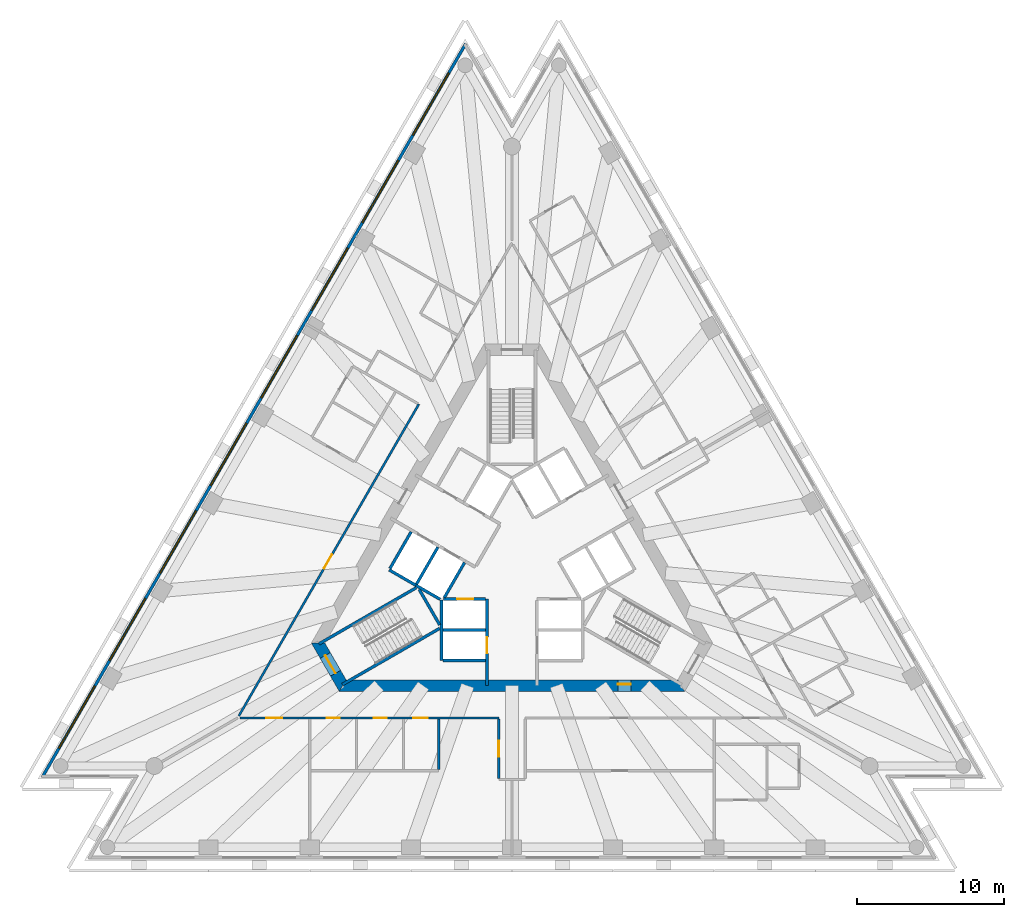
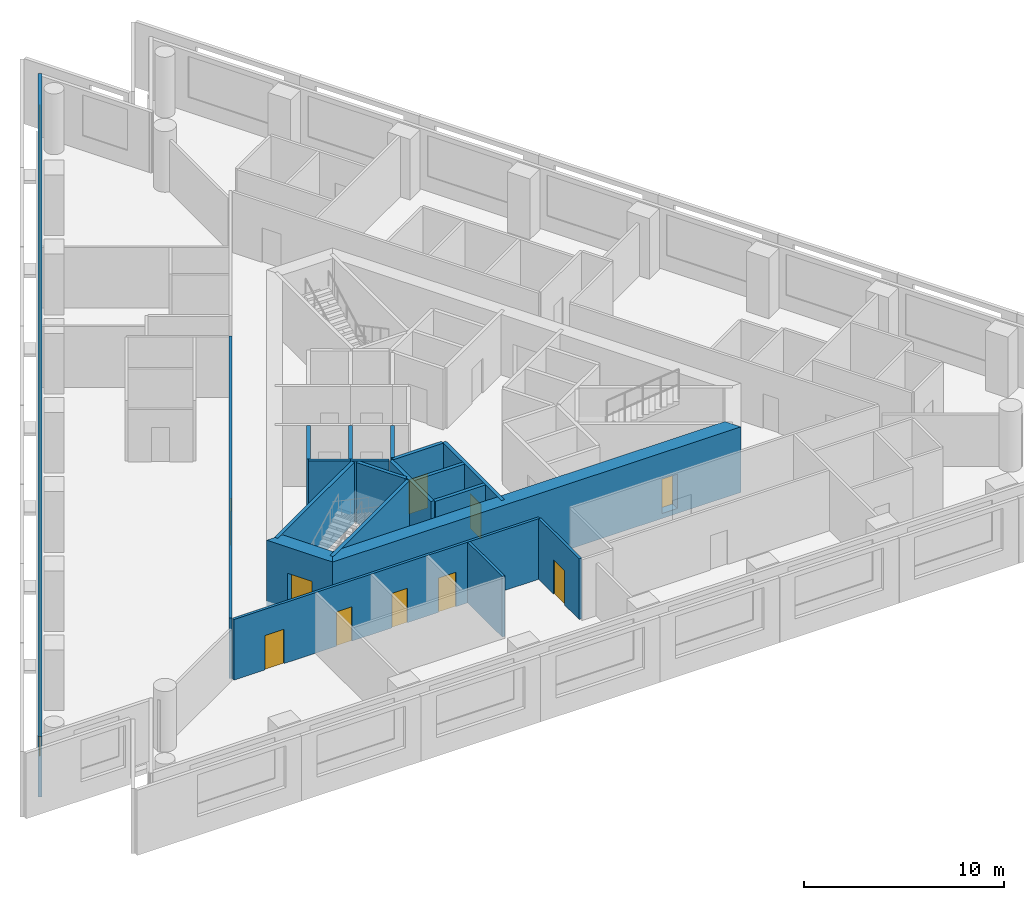
# One storey, part 3 of 10: 20 walls, 10 doors, 8 windows, 18 openings.
"""IFC4 building model written with IfcOpenShell, lengths in metres."""

from ifc_helpers import new_model, si_unit, direction, frame, frame_2d, origin, place, context, subcontext, project, spatial, polyline, rectangle, outline, extrude, material, layer, layer_set, layer_usage, type_object, element, fill, save


model = new_model("IFC4")

# Units and contexts
model_context = context("Model", 3, precision=1e-05, world=origin(), true_north=direction((0.0, 1.0)))
body_context = subcontext(model_context, "Body", "Model", "MODEL_VIEW")
ifc_project = project(units=[si_unit("LENGTHUNIT", "METRE"), si_unit("AREAUNIT", "SQUARE_METRE"), si_unit("VOLUMEUNIT", "CUBIC_METRE"), si_unit("PLANEANGLEUNIT", "RADIAN"), si_unit("MASSUNIT", "GRAM", prefix="KILO")], contexts=[model_context])

# Site, building, storey
site_placement = place(None, origin())
site = spatial("IfcSite", under=ifc_project, at=site_placement, CompositionType="ELEMENT")
building_placement = place(site_placement, origin())
building = spatial("IfcBuilding", under=site, at=building_placement, Name="Triada Interchange Tower", CompositionType="ELEMENT")
storey_placement = place(building_placement, frame((0.0, 0.0, 116.300048828125)))
storey = spatial("IfcBuildingStorey", under=building, at=storey_placement, Name="L26", CompositionType="ELEMENT", Elevation=116.300048828125)

# Walls
ifc_material_1 = material(Name="Concrete C30/37", Category="concrete")
ifc_layer_1 = layer(ifc_material_1, 0.199951171875)
ifc_layer_set_1 = layer_set([ifc_layer_1], Name="CORE WALL 200 EI 120")
wall_type_1 = type_object("IfcWallType", Name="CORE WALL 200 EI 120", PredefinedType="SOLIDWALL", material=ifc_layer_set_1)
wall_1_placement = place(storey_placement, frame((-8.3759765625, -0.70703125, 0.0), z_axis=(0.0, 0.0, 1.0), x_axis=(0.866067520717, -0.499927044236, 0.0)))
element("IfcWall", 1, at=wall_1_placement, inside=storey, type_object=wall_type_1, Name="Wall L26 60", PredefinedType="SOLIDWALL", context=body_context, shape_type="SweptSolid", body=[
    extrude(rectangle(XDim=2.100341796875, YDim=0.199951171875, at=frame_2d((1.05029296875, 0.0))), origin(), (0.0, 0.0, 1.0), 3.699951171875),
])
wall_2_placement = place(storey_placement, frame((-8.325927734375, -0.6201171875, 0.0), z_axis=(0.0, 0.0, 1.0), x_axis=(0.500023687443, 0.866011727401, 0.0)))
element("IfcWall", 2, at=wall_2_placement, inside=storey, type_object=wall_type_1, Name="Wall L26 61", PredefinedType="SOLIDWALL", context=body_context, shape_type="SweptSolid", body=[
    extrude(rectangle(XDim=2.899658203125, YDim=0.199951171875, at=frame_2d((1.44970703125, 0.0))), origin(), (0.0, 0.0, 1.0), 3.699951171875),
])
wall_3_placement = place(storey_placement, frame((-4.699951171875, -4.800048828125, 0.0), z_axis=(0.0, 0.0, 1.0), x_axis=(1.0, 0.0, 0.0)))
element("IfcWall", 3, at=wall_3_placement, inside=storey, type_object=wall_type_1, Name="Wall L26 62", PredefinedType="SOLIDWALL", context=body_context, shape_type="SweptSolid", body=[
    extrude(rectangle(XDim=2.89990234375, YDim=0.199951171875, at=frame_2d((1.449951171875, 0.0))), origin(), (0.0, 0.0, 1.0), 3.699951171875),
])
wall_4_placement = place(storey_placement, frame((-4.800048828125, -6.89990234375, 0.0), z_axis=(0.0, 0.0, 1.0), x_axis=(0.0, 1.0, 0.0)))
element("IfcWall", 4, at=wall_4_placement, inside=storey, type_object=wall_type_1, Name="Wall L26 64", PredefinedType="SOLIDWALL", context=body_context, shape_type="SweptSolid", body=[
    extrude(rectangle(XDim=4.130859375, YDim=0.199951171875, at=frame_2d((2.0654296875, 0.0))), origin(), (0.0, 0.0, 1.0), 3.699951171875),
])
wall_5_placement = place(storey_placement, frame((-4.699951171875, -6.89990234375, 0.0), z_axis=(0.0, 0.0, 1.0), x_axis=(1.0, 0.0, 0.0)))
element("IfcWall", 5, at=wall_5_placement, inside=storey, type_object=wall_type_1, Name="Wall L26 65", PredefinedType="SOLIDWALL", context=body_context, shape_type="SweptSolid", body=[
    extrude(rectangle(XDim=2.89990234375, YDim=0.199951171875, at=frame_2d((1.449951171875, 0.0))), origin(), (0.0, 0.0, 1.0), 3.699951171875),
])

# Wall, opening, door
wall_6_placement = place(storey_placement, frame((-1.699951171875, -8.580078125, 0.0), z_axis=(0.0, 0.0, 1.0), x_axis=(0.0, 1.0, 0.0)))
wall_6 = element("IfcWall", 6, at=wall_6_placement, inside=storey, type_object=wall_type_1, Name="Wall L26 67", PredefinedType="SOLIDWALL", context=body_context, shape_type="SweptSolid", body=[
    extrude(rectangle(XDim=5.877197265625, YDim=0.199951171875, at=frame_2d((2.9384765625, 0.0))), origin(), (0.0, 0.0, 1.0), 3.699951171875),
])
opening_1_placement = place(wall_6_placement, frame((2.179931640625, 0.0, 0.0)))
opening_1 = element("IfcOpeningElement", 7, at=opening_1_placement, cuts=wall_6, Name="Opening LD-LR4", PredefinedType="OPENING", context=body_context, shape_type="SweptSolid", body=[
    extrude(rectangle(XDim=1.10009765625, YDim=2.10009765625, at=frame_2d((0.550048828125, 1.050048828125))), frame((0.0, 0.10986328125, 0.0), z_axis=(0.0, -1.0, 0.0), x_axis=(1.0, 0.0, 0.0)), (0.0, 0.0, 1.0), 0.219970703125),
])
ifc_material_2 = material(Name="Steel S235 door leaf", Category="steel")
door_type_1 = type_object("IfcDoorType", Name="LIFT LANDING DOOR 1100 EI 120", OperationType="SLIDING_TO_LEFT", PredefinedType="DOOR", material=ifc_material_2)
door_1_placement = place(opening_1_placement, origin())
door_1 = element("IfcDoor", 8, at=door_1_placement, inside=storey, type_object=door_type_1, Name="LR4 landing door L26", OperationType="SLIDING_TO_LEFT", OverallHeight=2.10009765625, OverallWidth=1.10009765625, PredefinedType="DOOR", context=body_context, shape_type="SweptSolid", body=[
    extrude(rectangle(XDim=1.10009765625, YDim=2.10009765625, at=frame_2d((0.550048828125, 1.050048828125))), frame((0.0, 0.02490234375, 0.0), z_axis=(0.0, -1.0, 0.0), x_axis=(1.0, 0.0, 0.0)), (0.0, 0.0, 1.0), 0.050048828125),
])
fill(opening_1, door_1)

wall_7_placement = place(storey_placement, frame((-4.676025390625, -2.699951171875, 0.0), z_axis=(0.0, 0.0, 1.0), x_axis=(1.0, 0.0, 0.0)))
wall_7 = element("IfcWall", 9, at=wall_7_placement, inside=storey, type_object=wall_type_1, Name="Wall L26 68", PredefinedType="SOLIDWALL", context=body_context, shape_type="SweptSolid", body=[
    extrude(rectangle(XDim=2.873046875, YDim=0.199951171875, at=frame_2d((1.4365234375, 0.0))), origin(), (0.0, 0.0, 1.0), 3.699951171875),
])
opening_2_placement = place(wall_7_placement, frame((0.93701171875, 0.0, 0.0)))
opening_2 = element("IfcOpeningElement", 10, at=opening_2_placement, cuts=wall_7, Name="Opening LD-LR3", PredefinedType="OPENING", context=body_context, shape_type="SweptSolid", body=[
    extrude(rectangle(XDim=1.10009765625, YDim=2.10009765625, at=frame_2d((0.550048828125, 1.050048828125))), frame((0.0, 0.10986328125, 0.0), z_axis=(0.0, -1.0, 0.0), x_axis=(1.0, 0.0, 0.0)), (0.0, 0.0, 1.0), 0.219970703125),
])
door_2_placement = place(opening_2_placement, origin())
door_2 = element("IfcDoor", 11, at=door_2_placement, inside=storey, type_object=door_type_1, Name="LR3 landing door L26", OperationType="SLIDING_TO_LEFT", OverallHeight=2.10009765625, OverallWidth=1.10009765625, PredefinedType="DOOR", context=body_context, shape_type="SweptSolid", body=[
    extrude(rectangle(XDim=1.10009765625, YDim=2.10009765625, at=frame_2d((0.550048828125, 1.050048828125))), frame((0.0, 0.02490234375, 0.0), z_axis=(0.0, -1.0, 0.0), x_axis=(1.0, 0.0, 0.0)), (0.0, 0.0, 1.0), 0.050048828125),
])
fill(opening_2, door_2)

# Walls
ifc_layer_2 = layer(ifc_material_1, 0.199951171875)
ifc_layer_set_2 = layer_set([ifc_layer_2], Name="CORE WALL 200 EI 180")
wall_type_2 = type_object("IfcWallType", Name="CORE WALL 200 EI 180", PredefinedType="SOLIDWALL", material=ifc_layer_set_2)
wall_8_placement = place(storey_placement, frame((-6.556884765625, -1.757080078125, 0.0), z_axis=(0.0, 0.0, 1.0), x_axis=(0.8659754619, -0.500086491905, 0.0)))
element("IfcWall", 12, at=wall_8_placement, inside=storey, type_object=wall_type_2, Name="Shaft wall FF1 L26 89", PredefinedType="SOLIDWALL", context=body_context, shape_type="SweptSolid", body=[
    extrude(rectangle(XDim=1.915771484375, YDim=0.199951171875, at=frame_2d((0.9580078125, 0.0))), origin(), (0.0, 0.0, 1.0), 3.699951171875),
])
wall_9_placement = place(storey_placement, frame((-6.507080078125, -1.669921875, 0.0), z_axis=(0.0, 0.0, 1.0), x_axis=(0.50012328804, 0.865954211699, 0.0)))
element("IfcWall", 13, at=wall_9_placement, inside=storey, type_object=wall_type_2, Name="Shaft wall FF1 L26 90", PredefinedType="SOLIDWALL", context=body_context, shape_type="SweptSolid", body=[
    extrude(rectangle(XDim=2.899658203125, YDim=0.199951171875, at=frame_2d((1.44970703125, 0.0))), origin(), (0.0, 0.0, 1.0), 3.699951171875),
])
wall_10_placement = place(storey_placement, frame((-4.618896484375, -2.60009765625, 0.0), z_axis=(0.0, 0.0, 1.0), x_axis=(0.50009492287, 0.865970593103, 0.0)))
element("IfcWall", 14, at=wall_10_placement, inside=storey, type_object=wall_type_2, Name="Shaft wall FF1 L26 92", PredefinedType="SOLIDWALL", context=body_context, shape_type="SweptSolid", body=[
    extrude(rectangle(XDim=2.76123046875, YDim=0.199951171875, at=frame_2d((1.380615234375, 0.0))), origin(), (0.0, 0.0, 1.0), 3.699951171875),
])
ifc_layer_3 = layer(ifc_material_1, 0.199951171875)
ifc_layer_set_3 = layer_set([ifc_layer_3], Name="CORE WALL 200 REI 240")
wall_type_3 = type_object("IfcWallType", Name="CORE WALL 200 REI 240", PredefinedType="SOLIDWALL", material=ifc_layer_set_3)
wall_11_placement = place(storey_placement, frame((-13.1669921875, -5.75390625, 0.0), z_axis=(0.0, 0.0, 1.0), x_axis=(0.866060938598, 0.499938446846, 0.0)))
element("IfcWall", 15, at=wall_11_placement, inside=storey, type_object=wall_type_3, Name="Wall L26 97", PredefinedType="SOLIDWALL", context=body_context, shape_type="SweptSolid", body=[
    extrude(rectangle(XDim=7.66455078125, YDim=0.199951171875, at=frame_2d((3.832275390625, 0.0))), origin(), (0.0, 0.0, 1.0), 3.699951171875),
])
wall_12_placement = place(storey_placement, frame((-6.3291015625, -2.0380859375, 0.0), z_axis=(0.0, 0.0, 1.0), x_axis=(0.500200581029, -0.865909567298, 0.0)))
element("IfcWall", 16, at=wall_12_placement, inside=storey, type_object=wall_type_3, Name="Wall L26 98", PredefinedType="SOLIDWALL", context=body_context, shape_type="SweptSolid", body=[
    extrude(rectangle(XDim=2.799072265625, YDim=0.199951171875, at=frame_2d((1.3994140625, 0.0))), origin(), (0.0, 0.0, 1.0), 3.699951171875),
])
wall_13_placement = place(storey_placement, frame((-11.56689453125, -8.52587890625, 0.0), z_axis=(0.0, 0.0, 1.0), x_axis=(0.866005769735, 0.50003400563, 0.0)))
element("IfcWall", 17, at=wall_13_placement, inside=storey, type_object=wall_type_3, Name="Wall L26 99", PredefinedType="SOLIDWALL", context=body_context, shape_type="SweptSolid", body=[
    extrude(rectangle(XDim=7.6650390625, YDim=0.199951171875, at=frame_2d((3.83251953125, 0.0))), origin(), (0.0, 0.0, 1.0), 3.699951171875),
])

# Wall, opening, door
ifc_material_3 = material(Name="Concrete C60/75", Category="concrete")
ifc_layer_4 = layer(ifc_material_3, 0.800048828125)
ifc_layer_set_4 = layer_set([ifc_layer_4], Name="Core wall B 800")
wall_type_4 = type_object("IfcWallType", Name="Core wall B 800", PredefinedType="SHEAR", material=ifc_layer_set_4)
wall_14_placement = place(storey_placement, frame((-13.220947265625, -5.699951171875, -0.300048828125), z_axis=(0.0, 0.0, 1.0), x_axis=(0.49987182685, -0.866099391942, 0.0)))
wall_14 = element("IfcWall", 18, at=wall_14_placement, inside=storey, type_object=wall_type_4, Name="Core wall WB03 L26", PredefinedType="SHEAR", context=body_context, shape_type="SweptSolid", body=[
    extrude(outline(polyline([(-0.23095703125, -0.39990234375), (1.674072265625, -0.39990234375), (3.5791015625, -0.39990234375), (3.117919921875, 0.39990234375), (1.67431640625, 0.39990234375), (0.23095703125, 0.39990234375), (-0.23095703125, -0.39990234375)])), origin(), (0.0, 0.0, 1.0), 4.0),
])
opening_3_placement = place(wall_14_placement, frame((0.97412109375, 0.0, 0.300048828125)))
opening_3 = element("IfcOpeningElement", 19, at=opening_3_placement, cuts=wall_14, Name="Opening D26-42", PredefinedType="OPENING", context=body_context, shape_type="SweptSolid", body=[
    extrude(rectangle(XDim=1.39990234375, YDim=2.10009765625, at=frame_2d((0.699951171875, 1.050048828125))), frame((0.0, 0.409912109375, 0.0), z_axis=(0.0, -1.0, 0.0), x_axis=(1.0, 0.0, 0.0)), (0.0, 0.0, 1.0), 0.820068359375),
])
door_type_2 = type_object("IfcDoorType", Name="STAIR DOOR 1400 EI2 90-C5S200", OperationType="DOUBLE_DOOR_SINGLE_SWING", PredefinedType="DOOR", material=ifc_material_2)
door_3_placement = place(opening_3_placement, origin())
door_3 = element("IfcDoor", 20, at=door_3_placement, inside=storey, type_object=door_type_2, Name="Door D26-42 L26", OperationType="DOUBLE_DOOR_SINGLE_SWING", OverallHeight=2.10009765625, OverallWidth=1.39990234375, PredefinedType="DOOR", context=body_context, shape_type="SweptSolid", body=[
    extrude(rectangle(XDim=1.39990234375, YDim=2.10009765625, at=frame_2d((0.699951171875, 1.050048828125))), frame((0.0, 0.02490234375, 0.0), z_axis=(0.0, -1.0, 0.0), x_axis=(1.0, 0.0, 0.0)), (0.0, 0.0, 1.0), 0.050048828125),
])
fill(opening_3, door_3)

wall_15_placement = place(storey_placement, frame((-11.547119140625, -8.60009765625, -0.300048828125), z_axis=(0.0, 0.0, 1.0), x_axis=(1.0, 0.0, 0.0)))
wall_15 = element("IfcWall", 21, at=wall_15_placement, inside=storey, type_object=wall_type_4, Name="Core wall WB04 L26", PredefinedType="SHEAR", context=body_context, shape_type="SweptSolid", body=[
    extrude(outline(polyline([(-0.23095703125, -0.39990234375), (1.73193359375, -0.39990234375), (3.695068359375, -0.39990234375), (5.657958984375, -0.39990234375), (7.62109375, -0.39990234375), (9.583984375, -0.39990234375), (11.546875, -0.39990234375), (13.510009765625, -0.39990234375), (15.472900390625, -0.39990234375), (17.43603515625, -0.39990234375), (19.39892578125, -0.39990234375), (21.362060546875, -0.39990234375), (23.324951171875, -0.39990234375), (22.863037109375, 0.39990234375), (20.97705078125, 0.39990234375), (19.091064453125, 0.39990234375), (17.205078125, 0.39990234375), (15.319091796875, 0.39990234375), (13.43310546875, 0.39990234375), (11.546875, 0.39990234375), (9.660888671875, 0.39990234375), (7.77490234375, 0.39990234375), (5.888916015625, 0.39990234375), (4.0029296875, 0.39990234375), (2.116943359375, 0.39990234375), (0.23095703125, 0.39990234375), (-0.23095703125, -0.39990234375)])), origin(), (0.0, 0.0, 1.0), 4.0),
])
opening_4_placement = place(wall_15_placement, frame((18.760009765625, 0.0, 0.300048828125)))
opening_4 = element("IfcOpeningElement", 22, at=opening_4_placement, cuts=wall_15, Name="Opening D26-45", PredefinedType="OPENING", context=body_context, shape_type="SweptSolid", body=[
    extrude(rectangle(XDim=0.89990234375, YDim=2.10009765625, at=frame_2d((0.449951171875, 1.050048828125))), frame((0.0, 0.409912109375, 0.0), z_axis=(0.0, -1.0, 0.0), x_axis=(1.0, 0.0, 0.0)), (0.0, 0.0, 1.0), 0.820068359375),
])
door_type_3 = type_object("IfcDoorType", Name="SERVICE DOOR 900 EI2 45-C5S200", OperationType="NOTDEFINED", PredefinedType="DOOR", material=ifc_material_2)
door_4_placement = place(opening_4_placement, origin())
door_4 = element("IfcDoor", 23, at=door_4_placement, inside=storey, type_object=door_type_3, Name="Door D26-45 L26", OperationType="SINGLE_SWING_LEFT", OverallHeight=2.10009765625, OverallWidth=0.89990234375, PredefinedType="DOOR", context=body_context, shape_type="SweptSolid", body=[
    extrude(rectangle(XDim=0.89990234375, YDim=2.10009765625, at=frame_2d((0.449951171875, 1.050048828125))), frame((0.0, 0.125, 0.0), z_axis=(0.0, -1.0, 0.0), x_axis=(1.0, 0.0, 0.0)), (0.0, 0.0, 1.0), 0.050048828125),
])
fill(opening_4, door_4)

# Wall, openings, windows
ifc_material_4 = material(Name="Cement board")
ifc_layer_5 = layer(ifc_material_4, 0.02001953125, Name="Cement board cladding")
ifc_material_5 = material(Name="Sheathing board")
ifc_layer_6 = layer(ifc_material_5, 0.014892578125, Name="Sheathing board")
ifc_material_6 = material(Name="Mineral wool")
ifc_layer_7 = layer(ifc_material_6, 0.14990234375, Name="Mineral wool between steel studs")
ifc_material_7 = material(Name="Gypsum board")
ifc_layer_8 = layer(ifc_material_7, 0.014892578125, Name="Plasterboard lining")
ifc_layer_set_5 = layer_set([ifc_layer_5, ifc_layer_6, ifc_layer_7, ifc_layer_8], Name="External wall 200")
ifc_layer_usage = layer_usage(ifc_layer_set_5, "AXIS2", "POSITIVE", -0.10009765625)
wall_type_5 = type_object("IfcWallType", Name="External wall 200", PredefinedType="ELEMENTEDWALL", material=ifc_layer_set_5)
wall_16_placement = place(storey_placement, frame((-3.154052734375, 35.18505859375, 0.0), z_axis=(0.0, 0.0, 1.0), x_axis=(-0.499996704161, -0.866027306629, 0.0)))
wall_16 = element("IfcWall", 24, at=wall_16_placement, inside=storey, type_object=wall_type_5, material=ifc_layer_usage, Name="External wall L26 NW", PredefinedType="ELEMENTEDWALL", context=body_context, shape_type="SweptSolid", body=[
    extrude(rectangle(XDim=57.7685546875, YDim=0.199951171875, at=frame_2d((28.88427734375, 0.0))), origin(), (0.0, 0.0, 1.0), 3.699951171875),
])
opening_5_placement = place(wall_16_placement, frame((2.301025390625, 0.0, 0.89990234375)))
opening_5 = element("IfcOpeningElement", 25, at=opening_5_placement, cuts=wall_16, Name="Opening WB01", PredefinedType="OPENING", context=body_context, shape_type="SweptSolid", body=[
    extrude(rectangle(XDim=4.89990234375, YDim=2.5, at=frame_2d((2.449951171875, 1.25))), frame((0.0, 0.10986328125, 0.0), z_axis=(0.0, -1.0, 0.0), x_axis=(1.0, 0.0, 0.0)), (0.0, 0.0, 1.0), 0.219970703125),
])
opening_6_placement = place(wall_16_placement, frame((9.198974609375, 0.0, 0.89990234375)))
opening_6 = element("IfcOpeningElement", 26, at=opening_6_placement, cuts=wall_16, Name="Opening WB02", PredefinedType="OPENING", context=body_context, shape_type="SweptSolid", body=[
    extrude(rectangle(XDim=4.89990234375, YDim=2.5, at=frame_2d((2.449951171875, 1.25))), frame((0.0, 0.10986328125, 0.0), z_axis=(0.0, -1.0, 0.0), x_axis=(1.0, 0.0, 0.0)), (0.0, 0.0, 1.0), 0.219970703125),
])
opening_7_placement = place(wall_16_placement, frame((16.096923828125, 0.0, 0.89990234375)))
opening_7 = element("IfcOpeningElement", 27, at=opening_7_placement, cuts=wall_16, Name="Opening WB03", PredefinedType="OPENING", context=body_context, shape_type="SweptSolid", body=[
    extrude(rectangle(XDim=4.89990234375, YDim=2.5, at=frame_2d((2.449951171875, 1.25))), frame((0.0, 0.10986328125, 0.0), z_axis=(0.0, -1.0, 0.0), x_axis=(1.0, 0.0, 0.0)), (0.0, 0.0, 1.0), 0.219970703125),
])
opening_8_placement = place(wall_16_placement, frame((22.9951171875, 0.0, 0.89990234375)))
opening_8 = element("IfcOpeningElement", 28, at=opening_8_placement, cuts=wall_16, Name="Opening WB04", PredefinedType="OPENING", context=body_context, shape_type="SweptSolid", body=[
    extrude(rectangle(XDim=4.89990234375, YDim=2.5, at=frame_2d((2.449951171875, 1.25))), frame((0.0, 0.10986328125, 0.0), z_axis=(0.0, -1.0, 0.0), x_axis=(1.0, 0.0, 0.0)), (0.0, 0.0, 1.0), 0.219970703125),
])
opening_9_placement = place(wall_16_placement, frame((29.89306640625, 0.0, 0.89990234375)))
opening_9 = element("IfcOpeningElement", 29, at=opening_9_placement, cuts=wall_16, Name="Opening WB05", PredefinedType="OPENING", context=body_context, shape_type="SweptSolid", body=[
    extrude(rectangle(XDim=4.89990234375, YDim=2.5, at=frame_2d((2.449951171875, 1.25))), frame((0.0, 0.10986328125, 0.0), z_axis=(0.0, -1.0, 0.0), x_axis=(1.0, 0.0, 0.0)), (0.0, 0.0, 1.0), 0.219970703125),
])
opening_10_placement = place(wall_16_placement, frame((36.791015625, 0.0, 0.89990234375)))
opening_10 = element("IfcOpeningElement", 30, at=opening_10_placement, cuts=wall_16, Name="Opening WB06", PredefinedType="OPENING", context=body_context, shape_type="SweptSolid", body=[
    extrude(rectangle(XDim=4.89990234375, YDim=2.5, at=frame_2d((2.449951171875, 1.25))), frame((0.0, 0.10986328125, 0.0), z_axis=(0.0, -1.0, 0.0), x_axis=(1.0, 0.0, 0.0)), (0.0, 0.0, 1.0), 0.219970703125),
])
opening_11_placement = place(wall_16_placement, frame((43.68896484375, 0.0, 0.89990234375)))
opening_11 = element("IfcOpeningElement", 31, at=opening_11_placement, cuts=wall_16, Name="Opening WB07", PredefinedType="OPENING", context=body_context, shape_type="SweptSolid", body=[
    extrude(rectangle(XDim=4.89990234375, YDim=2.5, at=frame_2d((2.449951171875, 1.25))), frame((0.0, 0.10986328125, 0.0), z_axis=(0.0, -1.0, 0.0), x_axis=(1.0, 0.0, 0.0)), (0.0, 0.0, 1.0), 0.219970703125),
])
opening_12_placement = place(wall_16_placement, frame((50.5859375, 0.0, 0.89990234375)))
opening_12 = element("IfcOpeningElement", 32, at=opening_12_placement, cuts=wall_16, Name="Opening WB08", PredefinedType="OPENING", context=body_context, shape_type="SweptSolid", body=[
    extrude(rectangle(XDim=4.89990234375, YDim=2.5, at=frame_2d((2.449951171875, 1.25))), frame((0.0, 0.10986328125, 0.0), z_axis=(0.0, -1.0, 0.0), x_axis=(1.0, 0.0, 0.0)), (0.0, 0.0, 1.0), 0.219970703125),
])
ifc_material_8 = material(Name="Double glazed aluminium window", Category="aluminium")
window_type = type_object("IfcWindowType", Name="Ribbon window B face", PartitioningType="SINGLE_PANEL", PredefinedType="WINDOW", material=ifc_material_8)
window_1_placement = place(opening_5_placement, origin())
window_1 = element("IfcWindow", 33, at=window_1_placement, inside=storey, type_object=window_type, Name="Window L26 NW 1", OverallHeight=2.5, OverallWidth=4.89990234375, PartitioningType="SINGLE_PANEL", PredefinedType="WINDOW", context=body_context, shape_type="SweptSolid", body=[
    extrude(rectangle(XDim=4.89990234375, YDim=2.5, at=frame_2d((2.449951171875, 1.25))), frame((0.0, 0.030029296875, 0.0), z_axis=(0.0, -1.0, 0.0), x_axis=(1.0, 0.0, 0.0)), (0.0, 0.0, 1.0), 0.06005859375),
])
fill(opening_5, window_1)
window_2_placement = place(opening_6_placement, origin())
window_2 = element("IfcWindow", 34, at=window_2_placement, inside=storey, type_object=window_type, Name="Window L26 NW 2", OverallHeight=2.5, OverallWidth=4.89990234375, PartitioningType="SINGLE_PANEL", PredefinedType="WINDOW", context=body_context, shape_type="SweptSolid", body=[
    extrude(rectangle(XDim=4.89990234375, YDim=2.5, at=frame_2d((2.449951171875, 1.25))), frame((0.0, 0.030029296875, 0.0), z_axis=(0.0, -1.0, 0.0), x_axis=(1.0, 0.0, 0.0)), (0.0, 0.0, 1.0), 0.06005859375),
])
fill(opening_6, window_2)
window_3_placement = place(opening_7_placement, origin())
window_3 = element("IfcWindow", 35, at=window_3_placement, inside=storey, type_object=window_type, Name="Window L26 NW 3", OverallHeight=2.5, OverallWidth=4.89990234375, PartitioningType="SINGLE_PANEL", PredefinedType="WINDOW", context=body_context, shape_type="SweptSolid", body=[
    extrude(rectangle(XDim=4.89990234375, YDim=2.5, at=frame_2d((2.449951171875, 1.25))), frame((0.0, 0.030029296875, 0.0), z_axis=(0.0, -1.0, 0.0), x_axis=(1.0, 0.0, 0.0)), (0.0, 0.0, 1.0), 0.06005859375),
])
fill(opening_7, window_3)
window_4_placement = place(opening_8_placement, origin())
window_4 = element("IfcWindow", 36, at=window_4_placement, inside=storey, type_object=window_type, Name="Window L26 NW 4", OverallHeight=2.5, OverallWidth=4.89990234375, PartitioningType="SINGLE_PANEL", PredefinedType="WINDOW", context=body_context, shape_type="SweptSolid", body=[
    extrude(rectangle(XDim=4.89990234375, YDim=2.5, at=frame_2d((2.449951171875, 1.25))), frame((0.0, 0.030029296875, 0.0), z_axis=(0.0, -1.0, 0.0), x_axis=(1.0, 0.0, 0.0)), (0.0, 0.0, 1.0), 0.06005859375),
])
fill(opening_8, window_4)
window_5_placement = place(opening_9_placement, origin())
window_5 = element("IfcWindow", 37, at=window_5_placement, inside=storey, type_object=window_type, Name="Window L26 NW 5", OverallHeight=2.5, OverallWidth=4.89990234375, PartitioningType="SINGLE_PANEL", PredefinedType="WINDOW", context=body_context, shape_type="SweptSolid", body=[
    extrude(rectangle(XDim=4.89990234375, YDim=2.5, at=frame_2d((2.449951171875, 1.25))), frame((0.0, 0.030029296875, 0.0), z_axis=(0.0, -1.0, 0.0), x_axis=(1.0, 0.0, 0.0)), (0.0, 0.0, 1.0), 0.06005859375),
])
fill(opening_9, window_5)
window_6_placement = place(opening_10_placement, origin())
window_6 = element("IfcWindow", 38, at=window_6_placement, inside=storey, type_object=window_type, Name="Window L26 NW 6", OverallHeight=2.5, OverallWidth=4.89990234375, PartitioningType="SINGLE_PANEL", PredefinedType="WINDOW", context=body_context, shape_type="SweptSolid", body=[
    extrude(rectangle(XDim=4.89990234375, YDim=2.5, at=frame_2d((2.449951171875, 1.25))), frame((0.0, 0.030029296875, 0.0), z_axis=(0.0, -1.0, 0.0), x_axis=(1.0, 0.0, 0.0)), (0.0, 0.0, 1.0), 0.06005859375),
])
fill(opening_10, window_6)
window_7_placement = place(opening_11_placement, origin())
window_7 = element("IfcWindow", 39, at=window_7_placement, inside=storey, type_object=window_type, Name="Window L26 NW 7", OverallHeight=2.5, OverallWidth=4.89990234375, PartitioningType="SINGLE_PANEL", PredefinedType="WINDOW", context=body_context, shape_type="SweptSolid", body=[
    extrude(rectangle(XDim=4.89990234375, YDim=2.5, at=frame_2d((2.449951171875, 1.25))), frame((0.0, 0.030029296875, 0.0), z_axis=(0.0, -1.0, 0.0), x_axis=(1.0, 0.0, 0.0)), (0.0, 0.0, 1.0), 0.06005859375),
])
fill(opening_11, window_7)
window_8_placement = place(opening_12_placement, origin())
window_8 = element("IfcWindow", 40, at=window_8_placement, inside=storey, type_object=window_type, Name="Window L26 NW 8", OverallHeight=2.5, OverallWidth=4.89990234375, PartitioningType="SINGLE_PANEL", PredefinedType="WINDOW", context=body_context, shape_type="SweptSolid", body=[
    extrude(rectangle(XDim=4.89990234375, YDim=2.5, at=frame_2d((2.449951171875, 1.25))), frame((0.0, 0.030029296875, 0.0), z_axis=(0.0, -1.0, 0.0), x_axis=(1.0, 0.0, 0.0)), (0.0, 0.0, 1.0), 0.06005859375),
])
fill(opening_12, window_8)

# Wall, openings, doors
ifc_material_9 = material(Name="Gypsum board partition")
ifc_layer_9 = layer(ifc_material_9, 0.14990234375)
ifc_layer_set_6 = layer_set([ifc_layer_9], Name="PARTITION 150 EI 180")
wall_type_6 = type_object("IfcWallType", Name="PARTITION 150 EI 180", PredefinedType="PARTITIONING", material=ifc_layer_set_6)
wall_17_placement = place(storey_placement, frame((-18.554931640625, -10.800048828125, 0.0), z_axis=(0.0, 0.0, 1.0), x_axis=(1.0, 0.0, 0.0)))
wall_17 = element("IfcWall", 41, at=wall_17_placement, inside=storey, type_object=wall_type_6, Name="Wall L26 3", PredefinedType="PARTITIONING", context=body_context, shape_type="SweptSolid", body=[
    extrude(rectangle(XDim=17.654052734375, YDim=0.14990234375, at=frame_2d((8.8271484375, 0.0))), origin(), (0.0, 0.0, 1.0), 3.699951171875),
])
opening_13_placement = place(wall_17_placement, frame((1.800048828125, 0.0, 0.0)))
opening_13 = element("IfcOpeningElement", 42, at=opening_13_placement, cuts=wall_17, Name="Opening D26-11", PredefinedType="OPENING", context=body_context, shape_type="SweptSolid", body=[
    extrude(rectangle(XDim=1.10009765625, YDim=2.10009765625, at=frame_2d((0.550048828125, 1.050048828125))), frame((0.0, 0.0849609375, 0.0), z_axis=(0.0, -1.0, 0.0), x_axis=(1.0, 0.0, 0.0)), (0.0, 0.0, 1.0), 0.169921875),
])
opening_14_placement = place(wall_17_placement, frame((5.908935546875, 0.0, 0.0)))
opening_14 = element("IfcOpeningElement", 43, at=opening_14_placement, cuts=wall_17, Name="Opening D26-13", PredefinedType="OPENING", context=body_context, shape_type="SweptSolid", body=[
    extrude(rectangle(XDim=0.89990234375, YDim=2.10009765625, at=frame_2d((0.449951171875, 1.050048828125))), frame((0.0, 0.0849609375, 0.0), z_axis=(0.0, -1.0, 0.0), x_axis=(1.0, 0.0, 0.0)), (0.0, 0.0, 1.0), 0.169921875),
])
opening_15_placement = place(wall_17_placement, frame((9.10888671875, 0.0, 0.0)))
opening_15 = element("IfcOpeningElement", 44, at=opening_15_placement, cuts=wall_17, Name="Opening D26-14", PredefinedType="OPENING", context=body_context, shape_type="SweptSolid", body=[
    extrude(rectangle(XDim=0.89990234375, YDim=2.10009765625, at=frame_2d((0.449951171875, 1.050048828125))), frame((0.0, 0.0849609375, 0.0), z_axis=(0.0, -1.0, 0.0), x_axis=(1.0, 0.0, 0.0)), (0.0, 0.0, 1.0), 0.169921875),
])
opening_16_placement = place(wall_17_placement, frame((11.80908203125, 0.0, 0.0)))
opening_16 = element("IfcOpeningElement", 45, at=opening_16_placement, cuts=wall_17, Name="Opening D26-15", PredefinedType="OPENING", context=body_context, shape_type="SweptSolid", body=[
    extrude(rectangle(XDim=1.0, YDim=2.10009765625, at=frame_2d((0.5, 1.050048828125))), frame((0.0, 0.0849609375, 0.0), z_axis=(0.0, -1.0, 0.0), x_axis=(1.0, 0.0, 0.0)), (0.0, 0.0, 1.0), 0.169921875),
])
door_type_4 = type_object("IfcDoorType", Name="ROOM DOOR 1000 EI2 90-C5S200", OperationType="NOTDEFINED", PredefinedType="DOOR", material=ifc_material_2)
door_5_placement = place(opening_16_placement, origin())
door_5 = element("IfcDoor", 46, at=door_5_placement, inside=storey, type_object=door_type_4, Name="Door D26-15 L26", OperationType="SINGLE_SWING_LEFT", OverallHeight=2.10009765625, OverallWidth=1.0, PredefinedType="DOOR", context=body_context, shape_type="SweptSolid", body=[
    extrude(rectangle(XDim=1.0, YDim=2.10009765625, at=frame_2d((0.5, 1.050048828125))), frame((0.0, 0.02490234375, 0.0), z_axis=(0.0, -1.0, 0.0), x_axis=(1.0, 0.0, 0.0)), (0.0, 0.0, 1.0), 0.050048828125),
])
fill(opening_16, door_5)
door_type_5 = type_object("IfcDoorType", Name="ROOM DOOR 900 EI2 90-C5S200", OperationType="NOTDEFINED", PredefinedType="DOOR", material=ifc_material_2)
door_6_placement = place(opening_14_placement, origin())
door_6 = element("IfcDoor", 47, at=door_6_placement, inside=storey, type_object=door_type_5, Name="Door D26-13 L26", OperationType="SINGLE_SWING_RIGHT", OverallHeight=2.10009765625, OverallWidth=0.89990234375, PredefinedType="DOOR", context=body_context, shape_type="SweptSolid", body=[
    extrude(rectangle(XDim=0.89990234375, YDim=2.10009765625, at=frame_2d((0.449951171875, 1.050048828125))), frame((0.0, 0.02490234375, 0.0), z_axis=(0.0, -1.0, 0.0), x_axis=(1.0, 0.0, 0.0)), (0.0, 0.0, 1.0), 0.050048828125),
])
fill(opening_14, door_6)
door_7_placement = place(opening_15_placement, origin())
door_7 = element("IfcDoor", 48, at=door_7_placement, inside=storey, type_object=door_type_5, Name="Door D26-14 L26", OperationType="SINGLE_SWING_RIGHT", OverallHeight=2.10009765625, OverallWidth=0.89990234375, PredefinedType="DOOR", context=body_context, shape_type="SweptSolid", body=[
    extrude(rectangle(XDim=0.89990234375, YDim=2.10009765625, at=frame_2d((0.449951171875, 1.050048828125))), frame((0.0, 0.02490234375, 0.0), z_axis=(0.0, -1.0, 0.0), x_axis=(1.0, 0.0, 0.0)), (0.0, 0.0, 1.0), 0.050048828125),
])
fill(opening_15, door_7)
door_type_6 = type_object("IfcDoorType", Name="TENANCY ENTRANCE DOOR 1100 EI2 90-C5S200", OperationType="NOTDEFINED", PredefinedType="DOOR", material=ifc_material_2)
door_8_placement = place(opening_13_placement, origin())
door_8 = element("IfcDoor", 49, at=door_8_placement, inside=storey, type_object=door_type_6, Name="Door D26-11 L26", OperationType="SINGLE_SWING_RIGHT", OverallHeight=2.10009765625, OverallWidth=1.10009765625, PredefinedType="DOOR", context=body_context, shape_type="SweptSolid", body=[
    extrude(rectangle(XDim=1.10009765625, YDim=2.10009765625, at=frame_2d((0.550048828125, 1.050048828125))), frame((0.0, 0.02490234375, 0.0), z_axis=(0.0, -1.0, 0.0), x_axis=(1.0, 0.0, 0.0)), (0.0, 0.0, 1.0), 0.050048828125),
])
fill(opening_13, door_8)

# Wall, opening, door
wall_18_placement = place(storey_placement, frame((-18.631103515625, -10.669921875, 0.0), z_axis=(0.0, 0.0, 1.0), x_axis=(0.499981532133, 0.86603606595, 0.0)))
wall_18 = element("IfcWall", 50, at=wall_18_placement, inside=storey, type_object=wall_type_6, Name="Wall L26 5", PredefinedType="PARTITIONING", context=body_context, shape_type="SweptSolid", body=[
    extrude(rectangle(XDim=24.55322265625, YDim=0.14990234375, at=frame_2d((12.276611328125, 0.0))), origin(), (0.0, 0.0, 1.0), 3.699951171875),
])
opening_17_placement = place(wall_18_placement, frame((11.60400390625, 0.0, 0.0)))
opening_17 = element("IfcOpeningElement", 51, at=opening_17_placement, cuts=wall_18, Name="Opening D26-37", PredefinedType="OPENING", context=body_context, shape_type="SweptSolid", body=[
    extrude(rectangle(XDim=1.10009765625, YDim=2.10009765625, at=frame_2d((0.550048828125, 1.050048828125))), frame((0.0, 0.0849609375, 0.0), z_axis=(0.0, -1.0, 0.0), x_axis=(1.0, 0.0, 0.0)), (0.0, 0.0, 1.0), 0.169921875),
])
door_9_placement = place(opening_17_placement, origin())
door_9 = element("IfcDoor", 52, at=door_9_placement, inside=storey, type_object=door_type_6, Name="Door D26-37 L26", OperationType="SINGLE_SWING_LEFT", OverallHeight=2.10009765625, OverallWidth=1.10009765625, PredefinedType="DOOR", context=body_context, shape_type="SweptSolid", body=[
    extrude(rectangle(XDim=1.10009765625, YDim=2.10009765625, at=frame_2d((0.550048828125, 1.050048828125))), frame((0.0, 0.02490234375, 0.0), z_axis=(0.0, -1.0, 0.0), x_axis=(1.0, 0.0, 0.0)), (0.0, 0.0, 1.0), 0.050048828125),
])
fill(opening_17, door_9)

# Wall
wall_19_placement = place(storey_placement, frame((-4.99609375, -14.324951171875, 0.0), z_axis=(0.0, 0.0, 1.0), x_axis=(0.0, 1.0, 0.0)))
element("IfcWall", 53, at=wall_19_placement, inside=storey, type_object=wall_type_6, Name="Wall L26 15", PredefinedType="PARTITIONING", context=body_context, shape_type="SweptSolid", body=[
    extrude(rectangle(XDim=3.449951171875, YDim=0.14990234375, at=frame_2d((1.72509765625, 0.0))), origin(), (0.0, 0.0, 1.0), 3.699951171875),
])

# Wall, opening, door
wall_20_placement = place(storey_placement, frame((-0.89990234375, -14.925048828125, 0.0), z_axis=(0.0, 0.0, 1.0), x_axis=(0.0, 1.0, 0.0)))
wall_20 = element("IfcWall", 54, at=wall_20_placement, inside=storey, type_object=wall_type_6, Name="Wall L26 20", PredefinedType="PARTITIONING", context=body_context, shape_type="SweptSolid", body=[
    extrude(rectangle(XDim=4.049072265625, YDim=0.14990234375, at=frame_2d((2.0244140625, 0.0))), origin(), (0.0, 0.0, 1.0), 3.699951171875),
])
opening_18_placement = place(wall_20_placement, frame((1.47509765625, 0.0, 0.0)))
opening_18 = element("IfcOpeningElement", 55, at=opening_18_placement, cuts=wall_20, Name="Opening D26-12", PredefinedType="OPENING", context=body_context, shape_type="SweptSolid", body=[
    extrude(rectangle(XDim=1.10009765625, YDim=2.10009765625, at=frame_2d((0.550048828125, 1.050048828125))), frame((0.0, 0.0849609375, 0.0), z_axis=(0.0, -1.0, 0.0), x_axis=(1.0, 0.0, 0.0)), (0.0, 0.0, 1.0), 0.169921875),
])
door_10_placement = place(opening_18_placement, origin())
door_10 = element("IfcDoor", 56, at=door_10_placement, inside=storey, type_object=door_type_6, Name="Door D26-12 L26", OperationType="SINGLE_SWING_LEFT", OverallHeight=2.10009765625, OverallWidth=1.10009765625, PredefinedType="DOOR", context=body_context, shape_type="SweptSolid", body=[
    extrude(rectangle(XDim=1.10009765625, YDim=2.10009765625, at=frame_2d((0.550048828125, 1.050048828125))), frame((0.0, 0.02490234375, 0.0), z_axis=(0.0, -1.0, 0.0), x_axis=(1.0, 0.0, 0.0)), (0.0, 0.0, 1.0), 0.050048828125),
])
fill(opening_18, door_10)

save(model, "model.ifc")
